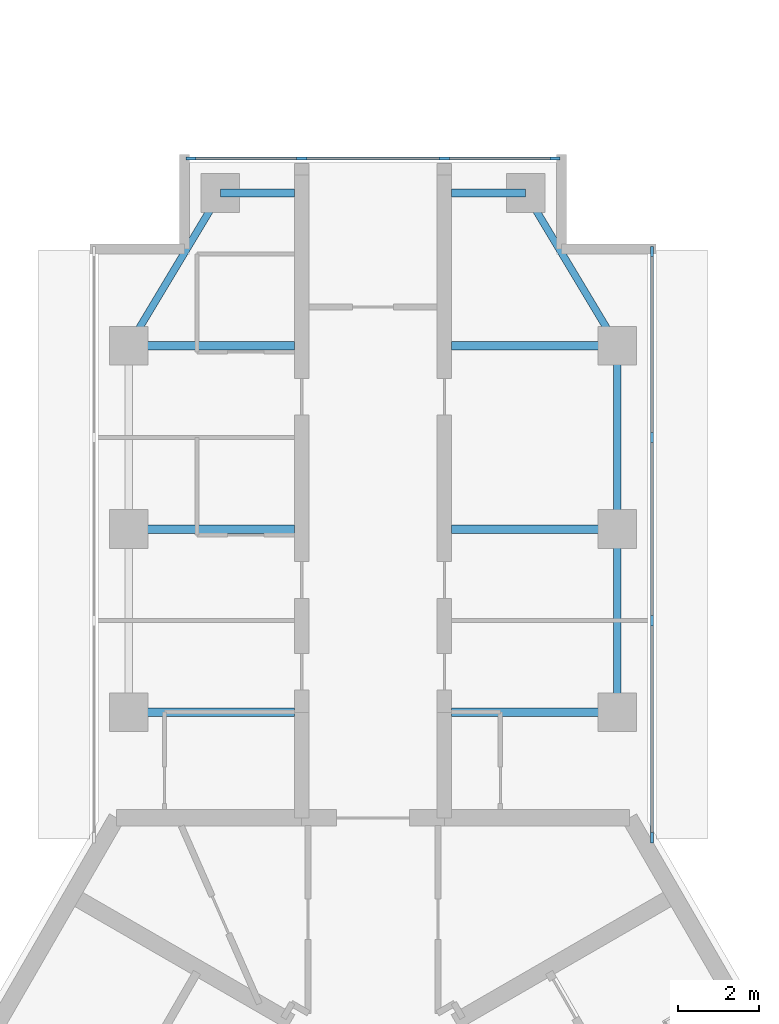
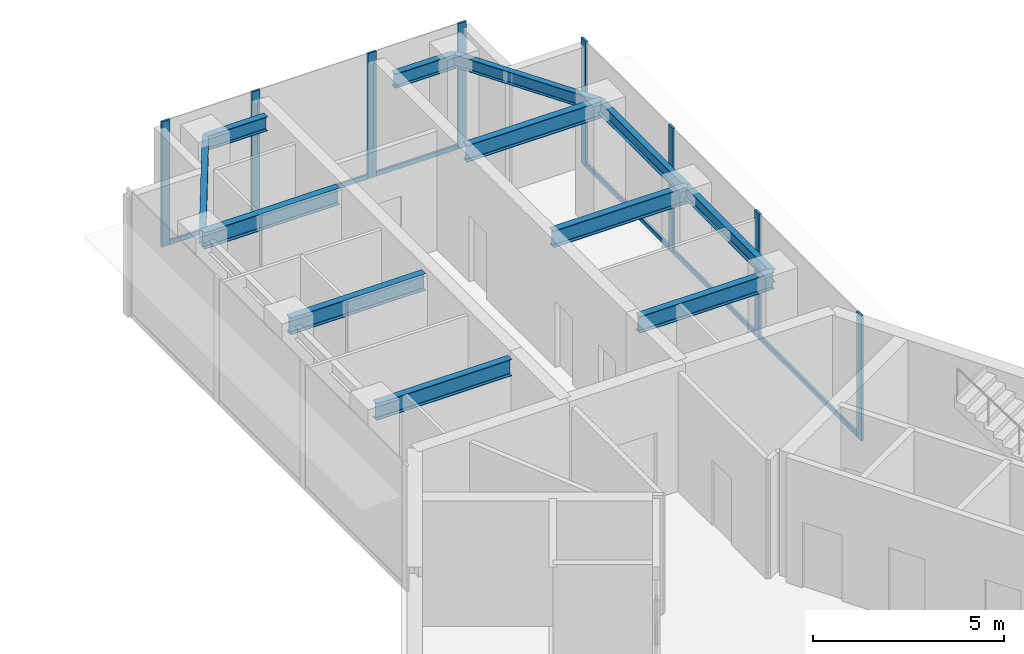
# One storey, part 3 of 11: 14 members, 12 beams, 2 elements without a shape of their own.
"""IFC4 building model written with IfcOpenShell, lengths in metres."""

from ifc_helpers import new_model, si_unit, direction, frame, origin, origin_2d, place, context, subcontext, project, spatial, rectangle, i_section, extrude, material, material_profile, profile_set, type_object, element, aggregate, save


model = new_model("IFC4")

# Units and contexts
model_context = context("Model", 3, precision=1e-05, world=origin(), true_north=direction((0.0, 1.0)))
body_context = subcontext(model_context, "Body", "Model", "MODEL_VIEW")
ifc_project = project(units=[si_unit("LENGTHUNIT", "METRE"), si_unit("AREAUNIT", "SQUARE_METRE"), si_unit("VOLUMEUNIT", "CUBIC_METRE"), si_unit("PLANEANGLEUNIT", "RADIAN"), si_unit("MASSUNIT", "GRAM", prefix="KILO")], contexts=[model_context])

# Site, building, storey
site_placement = place(None, origin())
site = spatial("IfcSite", under=ifc_project, at=site_placement, CompositionType="ELEMENT")
building_placement = place(site_placement, origin())
building = spatial("IfcBuilding", under=site, at=building_placement, Name="Upepo Twin Towers", CompositionType="ELEMENT")
storey_placement = place(building_placement, frame((0.0, 0.0, 275.5)))
storey = spatial("IfcBuildingStorey", under=building, at=storey_placement, Name="L67", CompositionType="ELEMENT", Elevation=275.5)

# Beams
ifc_material_1 = material(Name="Steel S355", Category="steel")
ifc_material_profile_1 = material_profile(ifc_material_1, i_section(OverallWidth=0.177978515625, OverallDepth=0.406494140625, WebThickness=0.0078125, FlangeThickness=0.0126953125, FilletRadius=0.01025390625, at=origin_2d()), Name="UB 406x178x60")
ifc_profile_set_1 = profile_set([ifc_material_profile_1], Name="Steel S355")
beam_type_1 = type_object("IfcBeamType", Name="Beam UB 406x178x60", PredefinedType="BEAM", material=ifc_profile_set_1)
beam_1_placement = place(storey_placement, frame((52.5, 4.5, 3.5966796875), z_axis=(0.514495755428, 0.857492925713, 0.0), x_axis=(-0.857492925713, 0.514495755428, 0.0)))
element("IfcBeam", 1, at=beam_1_placement, inside=storey, type_object=beam_type_1, Name="T2 nose edge beam AL", PredefinedType="BEAM", context=body_context, shape_type="SweptSolid", body=[
    extrude(i_section(OverallWidth=0.177978515625, OverallDepth=0.406494140625, WebThickness=0.0078125, FlangeThickness=0.0126953125, FilletRadius=0.01025390625, at=origin_2d()), origin(), (0.0, 0.0, 1.0), 4.373291015625),
])
for number, where, z_axis, x_axis, name in (
    (2, (64.5, -4.5, 3.5966796875), (0.0, 1.0, 0.0), (-1.0, 0.0, 0.0), "T2 edge beam AR 13.5-18.0"),
    (3, (64.5, 0.0, 3.5966796875), (0.0, 1.0, 0.0), (-1.0, 0.0, 0.0), "T2 edge beam AR 18.0-22.5"),
):
    element("IfcBeam", number, at=place(storey_placement, frame(where, z_axis=z_axis, x_axis=x_axis)), inside=storey, type_object=beam_type_1, Name=name, PredefinedType="BEAM", context=body_context, shape_type="SweptSolid", body=[
        extrude(i_section(OverallWidth=0.177978515625, OverallDepth=0.406494140625, WebThickness=0.0078125, FlangeThickness=0.0126953125, FilletRadius=0.01025390625, at=origin_2d()), origin(), (0.0, 0.0, 1.0), 4.5),
    ])
beam_2_placement = place(storey_placement, frame((64.5, 4.5, 3.5966796875), z_axis=(-0.514495755428, 0.857492925713, 0.0), x_axis=(-0.857492925713, -0.514495755428, 0.0)))
element("IfcBeam", 4, at=beam_2_placement, inside=storey, type_object=beam_type_1, Name="T2 nose edge beam AR", PredefinedType="BEAM", context=body_context, shape_type="SweptSolid", body=[
    extrude(i_section(OverallWidth=0.177978515625, OverallDepth=0.406494140625, WebThickness=0.0078125, FlangeThickness=0.0126953125, FilletRadius=0.01025390625, at=origin_2d()), origin(), (0.0, 0.0, 1.0), 4.373291015625),
])
ifc_material_2 = material(Name="Steel S355", Category="steel")
ifc_material_profile_2 = material_profile(ifc_material_2, i_section(OverallWidth=0.19140625, OverallDepth=0.4599609375, WebThickness=0.010009765625, FlangeThickness=0.01611328125, FilletRadius=0.01025390625, at=origin_2d()), Name="UB 457x191x82")
ifc_profile_set_2 = profile_set([ifc_material_profile_2], Name="Steel S355")
beam_type_2 = type_object("IfcBeamType", Name="Beam UB 457x191x82", PredefinedType="BEAM", material=ifc_profile_set_2)
for number, where, z_axis, x_axis, name in (
    (5, (54.75, 8.25, 3.570068359375), (1.0, 0.0, 0.0), (0.0, 1.0, 0.0), "T2 nose beam AL"),
    (6, (62.25, 8.25, 3.570068359375), (-1.0, 0.0, 0.0), (0.0, -1.0, 0.0), "T2 nose beam AR"),
):
    element("IfcBeam", number, at=place(storey_placement, frame(where, z_axis=z_axis, x_axis=x_axis)), inside=storey, type_object=beam_type_2, Name=name, PredefinedType="BEAM", context=body_context, shape_type="SweptSolid", body=[
        extrude(i_section(OverallWidth=0.19140625, OverallDepth=0.4599609375, WebThickness=0.010009765625, FlangeThickness=0.01611328125, FilletRadius=0.01025390625, at=origin_2d()), origin(), (0.0, 0.0, 1.0), 1.824951171875),
    ])
ifc_material_3 = material(Name="Steel S355", Category="steel")
ifc_material_profile_3 = material_profile(ifc_material_3, i_section(OverallWidth=0.209228515625, OverallDepth=0.533203125, WebThickness=0.010009765625, FlangeThickness=0.015625, FilletRadius=0.0126953125, at=origin_2d()), Name="UB 533x210x92")
ifc_profile_set_3 = profile_set([ifc_material_profile_3], Name="Steel S355")
beam_type_3 = type_object("IfcBeamType", Name="Beam UB 533x210x92", PredefinedType="BEAM", material=ifc_profile_set_3)
for number, where, z_axis, x_axis, name in (
    (7, (52.5, -4.5, 3.533447265625), (1.0, 0.0, 0.0), (0.0, 1.0, 0.0), "T2 girder AL at 13.5"),
    (8, (52.5, 0.0, 3.533447265625), (1.0, 0.0, 0.0), (0.0, 1.0, 0.0), "T2 girder AL at 18.0"),
    (9, (52.5, 4.5, 3.533447265625), (1.0, 0.0, 0.0), (0.0, 1.0, 0.0), "T2 girder AL at 22.5"),
    (10, (64.5, -4.5, 3.533447265625), (-1.0, 0.0, 0.0), (0.0, -1.0, 0.0), "T2 girder AR at 13.5"),
    (11, (64.5, 0.0, 3.533447265625), (-1.0, 0.0, 0.0), (0.0, -1.0, 0.0), "T2 girder AR at 18.0"),
    (12, (64.5, 4.5, 3.533447265625), (-1.0, 0.0, 0.0), (0.0, -1.0, 0.0), "T2 girder AR at 22.5"),
):
    element("IfcBeam", number, at=place(storey_placement, frame(where, z_axis=z_axis, x_axis=x_axis)), inside=storey, type_object=beam_type_3, Name=name, PredefinedType="BEAM", context=body_context, shape_type="SweptSolid", body=[
        extrude(i_section(OverallWidth=0.209228515625, OverallDepth=0.533203125, WebThickness=0.010009765625, FlangeThickness=0.015625, FilletRadius=0.0126953125, at=origin_2d()), origin(), (0.0, 0.0, 1.0), 4.074951171875),
    ])

# Curtain wall, members
ifc_material_4 = material(Name="Aluminium and fritted glass", Category="aluminium")
curtain_wall_type = type_object("IfcCurtainWallType", Name="Tower curtain wall TW4, fritted glass", PredefinedType="NOTDEFINED", material=ifc_material_4)
curtain_wall_1_placement = place(storey_placement, origin())
curtain_wall_1 = element("IfcCurtainWall", 13, at=curtain_wall_1_placement, inside=storey, type_object=curtain_wall_type, Name="T2 L67 wing A flank R curtain wall", PredefinedType="NOTDEFINED")
ifc_material_5 = material(Name="Aluminium mullion", Category="aluminium")
ifc_material_profile_4 = material_profile(ifc_material_5, rectangle(XDim=0.06494140625, YDim=0.25, at=origin_2d()), Name="MULLION 65x250")
ifc_profile_set_4 = profile_set([ifc_material_profile_4], Name="Aluminium mullion")
member_type_1 = type_object("IfcMemberType", Name="Mullion 65x250 TW4", PredefinedType="MULLION", material=ifc_profile_set_4)
member_1_placement = place(storey_placement, frame((65.35009765625, 6.8173828125, 0.0), z_axis=(0.0, 0.0, 1.0), x_axis=(1.0, 0.0, 0.0)))
member_1 = element("IfcMember", 14, at=member_1_placement, type_object=member_type_1, Name="T2 L67 wing A flank R curtain wall mullion 1", PredefinedType="MULLION", context=body_context, shape_type="SweptSolid", body=[
    extrude(rectangle(XDim=0.06494140625, YDim=0.25, at=origin_2d()), origin(), (0.0, 0.0, 1.0), 4.0),
])
member_2_placement = place(storey_placement, frame((65.35009765625, 2.25, 0.0), z_axis=(0.0, 0.0, 1.0), x_axis=(1.0, 0.0, 0.0)))
member_2 = element("IfcMember", 15, at=member_2_placement, type_object=member_type_1, Name="T2 L67 wing A flank R curtain wall mullion 2", PredefinedType="MULLION", context=body_context, shape_type="SweptSolid", body=[
    extrude(rectangle(XDim=0.06494140625, YDim=0.25, at=origin_2d()), origin(), (0.0, 0.0, 1.0), 4.0),
])
member_3_placement = place(storey_placement, frame((65.35009765625, -2.25, 0.0), z_axis=(0.0, 0.0, 1.0), x_axis=(1.0, 0.0, 0.0)))
member_3 = element("IfcMember", 16, at=member_3_placement, type_object=member_type_1, Name="T2 L67 wing A flank R curtain wall mullion 3", PredefinedType="MULLION", context=body_context, shape_type="SweptSolid", body=[
    extrude(rectangle(XDim=0.06494140625, YDim=0.25, at=origin_2d()), origin(), (0.0, 0.0, 1.0), 4.0),
])
member_4_placement = place(storey_placement, frame((65.35009765625, -7.580322265625, 0.0), z_axis=(0.0, 0.0, 1.0), x_axis=(1.0, 0.0, 0.0)))
member_4 = element("IfcMember", 17, at=member_4_placement, type_object=member_type_1, Name="T2 L67 wing A flank R curtain wall mullion 4", PredefinedType="MULLION", context=body_context, shape_type="SweptSolid", body=[
    extrude(rectangle(XDim=0.06494140625, YDim=0.25, at=origin_2d()), origin(), (0.0, 0.0, 1.0), 4.0),
])

curtain_wall_2_placement = place(storey_placement, origin())
curtain_wall_2 = element("IfcCurtainWall", 18, at=curtain_wall_2_placement, inside=storey, type_object=curtain_wall_type, Name="T2 L67 wing A nose curtain wall", PredefinedType="NOTDEFINED")
member_5_placement = place(storey_placement, frame((62.967529296875, 9.10009765625, 0.0), z_axis=(0.0, 0.0, 1.0), x_axis=(0.0, -1.0, 0.0)))
member_5 = element("IfcMember", 19, at=member_5_placement, type_object=member_type_1, Name="T2 L67 wing A nose curtain wall mullion 1", PredefinedType="MULLION", context=body_context, shape_type="SweptSolid", body=[
    extrude(rectangle(XDim=0.06494140625, YDim=0.25, at=origin_2d()), origin(), (0.0, 0.0, 1.0), 4.0),
])
member_6_placement = place(storey_placement, frame((60.25, 9.10009765625, 0.0), z_axis=(0.0, 0.0, 1.0), x_axis=(0.0, -1.0, 0.0)))
member_6 = element("IfcMember", 20, at=member_6_placement, type_object=member_type_1, Name="T2 L67 wing A nose curtain wall mullion 2", PredefinedType="MULLION", context=body_context, shape_type="SweptSolid", body=[
    extrude(rectangle(XDim=0.06494140625, YDim=0.25, at=origin_2d()), origin(), (0.0, 0.0, 1.0), 4.0),
])
member_7_placement = place(storey_placement, frame((56.75, 9.10009765625, 0.0), z_axis=(0.0, 0.0, 1.0), x_axis=(0.0, -1.0, 0.0)))
member_7 = element("IfcMember", 21, at=member_7_placement, type_object=member_type_1, Name="T2 L67 wing A nose curtain wall mullion 3", PredefinedType="MULLION", context=body_context, shape_type="SweptSolid", body=[
    extrude(rectangle(XDim=0.06494140625, YDim=0.25, at=origin_2d()), origin(), (0.0, 0.0, 1.0), 4.0),
])
member_8_placement = place(storey_placement, frame((54.032470703125, 9.10009765625, 0.0), z_axis=(0.0, 0.0, 1.0), x_axis=(0.0, -1.0, 0.0)))
member_8 = element("IfcMember", 22, at=member_8_placement, type_object=member_type_1, Name="T2 L67 wing A nose curtain wall mullion 4", PredefinedType="MULLION", context=body_context, shape_type="SweptSolid", body=[
    extrude(rectangle(XDim=0.06494140625, YDim=0.25, at=origin_2d()), origin(), (0.0, 0.0, 1.0), 4.0),
])

# Member
ifc_material_6 = material(Name="Aluminium transom", Category="aluminium")
ifc_material_profile_5 = material_profile(ifc_material_6, rectangle(XDim=0.06494140625, YDim=0.14990234375, at=origin_2d()), Name="TRANSOM 65x150")
ifc_profile_set_5 = profile_set([ifc_material_profile_5], Name="Aluminium transom")
member_type_2 = type_object("IfcMemberType", Name="Transom 65x150 TW4", PredefinedType="USERDEFINED", material=ifc_profile_set_5)
member_9_placement = place(storey_placement, frame((65.35009765625, 6.784912109375, 0.074951171875), z_axis=(0.0, -1.0, 0.0), x_axis=(1.0, 0.0, 0.0)))
member_9 = element("IfcMember", 23, at=member_9_placement, type_object=member_type_2, Name="T2 L67 wing A flank R curtain wall transom 1", ObjectType="TRANSOM", PredefinedType="USERDEFINED", context=body_context, shape_type="SweptSolid", body=[
    extrude(rectangle(XDim=0.06494140625, YDim=0.14990234375, at=origin_2d()), origin(), (0.0, 0.0, 1.0), 4.50244140625),
])

member_10_placement = place(storey_placement, frame((65.35009765625, 2.217529296875, 0.074951171875), z_axis=(0.0, -1.0, 0.0), x_axis=(1.0, 0.0, 0.0)))
member_10 = element("IfcMember", 24, at=member_10_placement, type_object=member_type_2, Name="T2 L67 wing A flank R curtain wall transom 2", ObjectType="TRANSOM", PredefinedType="USERDEFINED", context=body_context, shape_type="SweptSolid", body=[
    extrude(rectangle(XDim=0.06494140625, YDim=0.14990234375, at=origin_2d()), origin(), (0.0, 0.0, 1.0), 4.43505859375),
])

member_11_placement = place(storey_placement, frame((65.35009765625, -2.282470703125, 0.074951171875), z_axis=(0.0, -1.0, 0.0), x_axis=(1.0, 0.0, 0.0)))
member_11 = element("IfcMember", 25, at=member_11_placement, type_object=member_type_2, Name="T2 L67 wing A flank R curtain wall transom 3", ObjectType="TRANSOM", PredefinedType="USERDEFINED", context=body_context, shape_type="SweptSolid", body=[
    extrude(rectangle(XDim=0.06494140625, YDim=0.14990234375, at=origin_2d()), origin(), (0.0, 0.0, 1.0), 5.265380859375),
])

aggregate(curtain_wall_1, [member_1, member_2, member_3, member_4, member_9, member_10, member_11])

member_12_placement = place(storey_placement, frame((62.93505859375, 9.10009765625, 0.074951171875), z_axis=(-1.0, 0.0, 0.0), x_axis=(0.0, -1.0, 0.0)))
member_12 = element("IfcMember", 26, at=member_12_placement, type_object=member_type_2, Name="T2 L67 wing A nose curtain wall transom 1", ObjectType="TRANSOM", PredefinedType="USERDEFINED", context=body_context, shape_type="SweptSolid", body=[
    extrude(rectangle(XDim=0.06494140625, YDim=0.14990234375, at=origin_2d()), origin(), (0.0, 0.0, 1.0), 2.652587890625),
])

member_13_placement = place(storey_placement, frame((60.217529296875, 9.10009765625, 0.074951171875), z_axis=(-1.0, 0.0, 0.0), x_axis=(0.0, -1.0, 0.0)))
member_13 = element("IfcMember", 27, at=member_13_placement, type_object=member_type_2, Name="T2 L67 wing A nose curtain wall transom 2", ObjectType="TRANSOM", PredefinedType="USERDEFINED", context=body_context, shape_type="SweptSolid", body=[
    extrude(rectangle(XDim=0.06494140625, YDim=0.14990234375, at=origin_2d()), origin(), (0.0, 0.0, 1.0), 3.43505859375),
])

member_14_placement = place(storey_placement, frame((56.717529296875, 9.10009765625, 0.074951171875), z_axis=(-1.0, 0.0, 0.0), x_axis=(0.0, -1.0, 0.0)))
member_14 = element("IfcMember", 28, at=member_14_placement, type_object=member_type_2, Name="T2 L67 wing A nose curtain wall transom 3", ObjectType="TRANSOM", PredefinedType="USERDEFINED", context=body_context, shape_type="SweptSolid", body=[
    extrude(rectangle(XDim=0.06494140625, YDim=0.14990234375, at=origin_2d()), origin(), (0.0, 0.0, 1.0), 2.652587890625),
])

aggregate(curtain_wall_2, [member_5, member_6, member_7, member_8, member_12, member_13, member_14])

save(model, "model.ifc")
